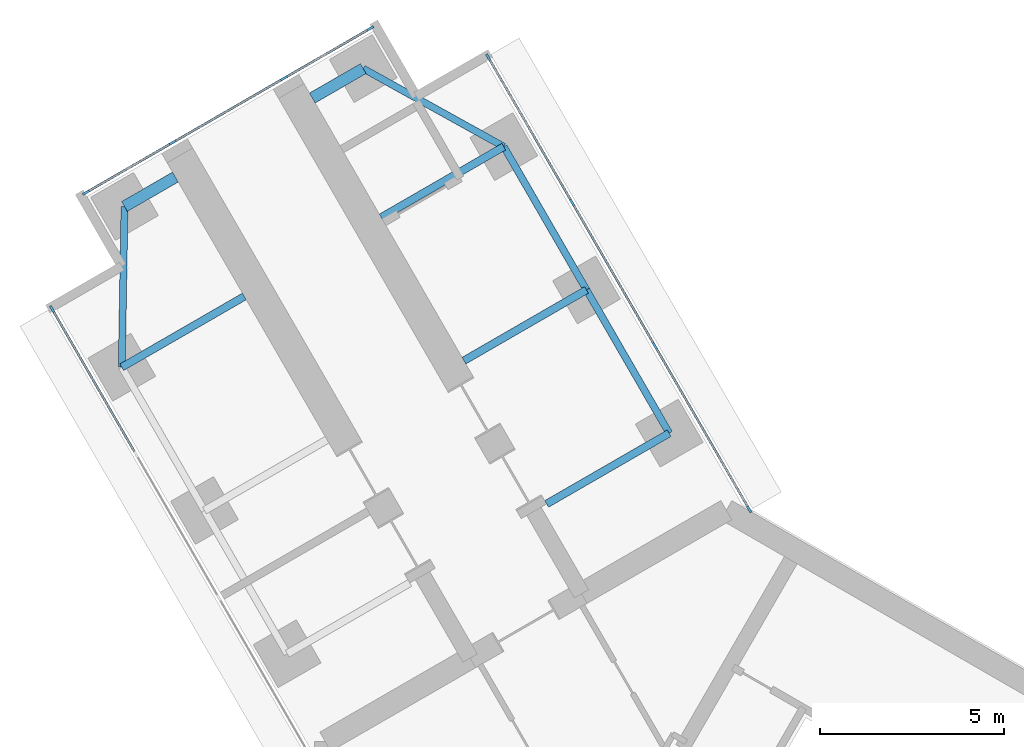
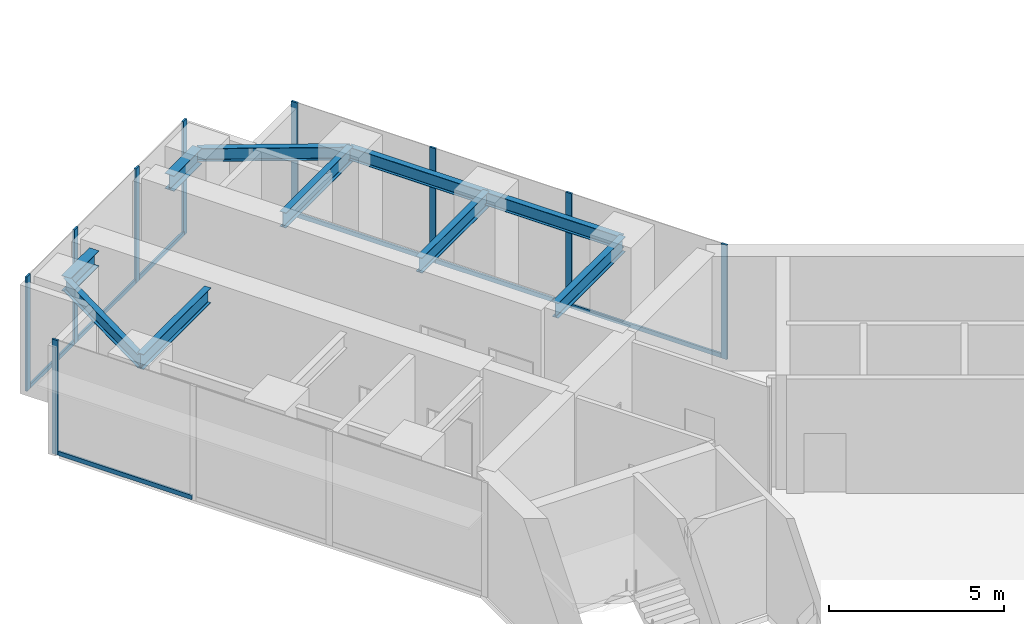
# One storey, part 6 of 21: 16 members, 10 beams, 3 elements without a shape of their own.
"""IFC4 building model written with IfcOpenShell, lengths in metres."""

from ifc_helpers import new_model, si_unit, direction, frame, origin, origin_2d, place, context, subcontext, project, spatial, rectangle, i_section, extrude, material, material_profile, profile_set, type_object, element, aggregate, save


model = new_model("IFC4")

# Units and contexts
model_context = context("Model", 3, precision=1e-05, world=origin(), true_north=direction((0.0, 1.0)))
body_context = subcontext(model_context, "Body", "Model", "MODEL_VIEW")
ifc_project = project(units=[si_unit("LENGTHUNIT", "METRE"), si_unit("AREAUNIT", "SQUARE_METRE"), si_unit("VOLUMEUNIT", "CUBIC_METRE"), si_unit("PLANEANGLEUNIT", "RADIAN"), si_unit("MASSUNIT", "GRAM", prefix="KILO")], contexts=[model_context])

# Site, building, storey
site_placement = place(None, origin())
site = spatial("IfcSite", under=ifc_project, at=site_placement, CompositionType="ELEMENT")
building_placement = place(site_placement, origin())
building = spatial("IfcBuilding", under=site, at=building_placement, Name="Upepo Twin Towers", CompositionType="ELEMENT")
storey_placement = place(building_placement, frame((0.0, 0.0, 109.5)))
storey = spatial("IfcBuildingStorey", under=building, at=storey_placement, Name="L26", CompositionType="ELEMENT", Elevation=109.5)

# Beams
ifc_material_1 = material(Name="Steel S355", Category="steel")
ifc_material_profile_1 = material_profile(ifc_material_1, i_section(OverallWidth=0.1904296875, OverallDepth=0.45703125, WebThickness=0.009033203125, FlangeThickness=0.014404296875, FilletRadius=0.01025390625, at=origin_2d()), Name="UB 457x191x74")
ifc_profile_set_1 = profile_set([ifc_material_profile_1], Name="Steel S355")
beam_type_1 = type_object("IfcBeamType", Name="Beam UB 457x191x74", PredefinedType="BEAM", material=ifc_profile_set_1)
beam_1_placement = place(storey_placement, frame((-16.446044921875, 16.485595703125, 3.571533203125), z_axis=(0.016803880528, 0.999858804832, 0.0), x_axis=(-0.999858804832, 0.016803880528, 0.0)))
element("IfcBeam", 1, at=beam_1_placement, inside=storey, type_object=beam_type_1, Name="T1 nose edge beam BL", PredefinedType="BEAM", context=body_context, shape_type="SweptSolid", body=[
    extrude(i_section(OverallWidth=0.1904296875, OverallDepth=0.45703125, WebThickness=0.009033203125, FlangeThickness=0.014404296875, FilletRadius=0.01025390625, at=origin_2d()), origin(), (0.0, 0.0, 1.0), 4.373291015625),
])
beam_2_placement = place(storey_placement, frame((-1.553955078125, 14.69140625, 3.571533203125), z_axis=(-0.500013631625, 0.866017533419, 0.0), x_axis=(-0.866017533419, -0.500013631625, 0.0)))
element("IfcBeam", 2, at=beam_2_placement, inside=storey, type_object=beam_type_1, Name="T1 edge beam BR 13.5-18.0", PredefinedType="BEAM", context=body_context, shape_type="SweptSolid", body=[
    extrude(i_section(OverallWidth=0.1904296875, OverallDepth=0.45703125, WebThickness=0.009033203125, FlangeThickness=0.014404296875, FilletRadius=0.01025390625, at=origin_2d()), origin(), (0.0, 0.0, 1.0), 4.499755859375),
])
beam_3_placement = place(storey_placement, frame((-3.803955078125, 18.58837890625, 3.571533203125), z_axis=(-0.499990139034, 0.866031096941, 0.0), x_axis=(-0.866031096941, -0.499990139034, 0.0)))
element("IfcBeam", 3, at=beam_3_placement, inside=storey, type_object=beam_type_1, Name="T1 edge beam BR 18.0-22.5", PredefinedType="BEAM", context=body_context, shape_type="SweptSolid", body=[
    extrude(i_section(OverallWidth=0.1904296875, OverallDepth=0.45703125, WebThickness=0.009033203125, FlangeThickness=0.014404296875, FilletRadius=0.01025390625, at=origin_2d()), origin(), (0.0, 0.0, 1.0), 4.5),
])
beam_4_placement = place(storey_placement, frame((-6.053955078125, 22.485595703125, 3.571533203125), z_axis=(-0.874312600038, 0.485363242752, 0.0), x_axis=(-0.485363242752, -0.874312600038, 0.0)))
element("IfcBeam", 4, at=beam_4_placement, inside=storey, type_object=beam_type_1, Name="T1 nose edge beam BR", PredefinedType="BEAM", context=body_context, shape_type="SweptSolid", body=[
    extrude(i_section(OverallWidth=0.1904296875, OverallDepth=0.45703125, WebThickness=0.009033203125, FlangeThickness=0.014404296875, FilletRadius=0.01025390625, at=origin_2d()), origin(), (0.0, 0.0, 1.0), 4.373046875),
])
ifc_material_2 = material(Name="Steel S355", Category="steel")
ifc_material_profile_2 = material_profile(ifc_material_2, i_section(OverallWidth=0.209228515625, OverallDepth=0.533203125, WebThickness=0.010009765625, FlangeThickness=0.015625, FilletRadius=0.0126953125, at=origin_2d()), Name="UB 533x210x92")
ifc_profile_set_2 = profile_set([ifc_material_profile_2], Name="Steel S355")
beam_type_2 = type_object("IfcBeamType", Name="Beam UB 533x210x92", PredefinedType="BEAM", material=ifc_profile_set_2)
for number, where, z_axis, x_axis, name in (
    (5, (-16.446044921875, 16.485595703125, 3.533447265625), (0.866006051527, 0.500033517596, 0.0), (-0.500033517596, 0.866006051527, 0.0), "T1 girder BL at 22.5"),
    (6, (-1.553955078125, 14.69140625, 3.533447265625), (-0.866006051527, -0.500033517596, 0.0), (0.500033517596, -0.866006051527, 0.0), "T1 girder BR at 13.5"),
):
    element("IfcBeam", number, at=place(storey_placement, frame(where, z_axis=z_axis, x_axis=x_axis)), inside=storey, type_object=beam_type_2, Name=name, PredefinedType="BEAM", context=body_context, shape_type="SweptSolid", body=[
        extrude(i_section(OverallWidth=0.209228515625, OverallDepth=0.533203125, WebThickness=0.010009765625, FlangeThickness=0.015625, FilletRadius=0.0126953125, at=origin_2d()), origin(), (0.0, 0.0, 1.0), 3.849853515625),
    ])
beam_5_placement = place(storey_placement, frame((-3.803955078125, 18.58837890625, 3.533447265625), z_axis=(-0.866033512162, -0.499985955615, 0.0), x_axis=(0.499985955615, -0.866033512162, 0.0)))
element("IfcBeam", 7, at=beam_5_placement, inside=storey, type_object=beam_type_2, Name="T1 girder BR at 18.0", PredefinedType="BEAM", context=body_context, shape_type="SweptSolid", body=[
    extrude(i_section(OverallWidth=0.209228515625, OverallDepth=0.533203125, WebThickness=0.010009765625, FlangeThickness=0.015625, FilletRadius=0.0126953125, at=origin_2d()), origin(), (0.0, 0.0, 1.0), 3.849609375),
])
beam_6_placement = place(storey_placement, frame((-6.053955078125, 22.485595703125, 3.533447265625), z_axis=(-0.866006051527, -0.500033517596, 0.0), x_axis=(0.500033517596, -0.866006051527, 0.0)))
element("IfcBeam", 8, at=beam_6_placement, inside=storey, type_object=beam_type_2, Name="T1 girder BR at 22.5", PredefinedType="BEAM", context=body_context, shape_type="SweptSolid", body=[
    extrude(i_section(OverallWidth=0.209228515625, OverallDepth=0.533203125, WebThickness=0.010009765625, FlangeThickness=0.015625, FilletRadius=0.0126953125, at=origin_2d()), origin(), (0.0, 0.0, 1.0), 3.849853515625),
])
ifc_material_3 = material(Name="Steel S355", Category="steel")
ifc_material_profile_3 = material_profile(ifc_material_3, i_section(OverallWidth=0.31201171875, OverallDepth=0.54345703125, WebThickness=0.0126953125, FlangeThickness=0.020263671875, FilletRadius=0.0126953125, at=origin_2d()), Name="UB 533x312x150")
ifc_profile_set_3 = profile_set([ifc_material_profile_3], Name="Steel S355")
beam_type_3 = type_object("IfcBeamType", Name="Beam UB 533x312x150", PredefinedType="BEAM", material=ifc_profile_set_3)
for number, where, z_axis, x_axis, name in (
    (9, (-16.37255859375, 20.858154296875, 3.5283203125), (0.865989903783, 0.500061482766, 0.0), (-0.500061482766, 0.865989903783, 0.0), "T1 nose beam BL"),
    (10, (-9.87744140625, 24.608154296875, 3.5283203125), (-0.865989903783, -0.500061482766, 0.0), (0.500061482766, -0.865989903783, 0.0), "T1 nose beam BR"),
):
    element("IfcBeam", number, at=place(storey_placement, frame(where, z_axis=z_axis, x_axis=x_axis)), inside=storey, type_object=beam_type_3, Name=name, PredefinedType="BEAM", context=body_context, shape_type="SweptSolid", body=[
        extrude(i_section(OverallWidth=0.31201171875, OverallDepth=0.54345703125, WebThickness=0.0126953125, FlangeThickness=0.020263671875, FilletRadius=0.0126953125, at=origin_2d()), origin(), (0.0, 0.0, 1.0), 1.599853515625),
    ])

# Curtain wall, member
ifc_material_4 = material(Name="Aluminium and fritted glass", Category="aluminium")
curtain_wall_type = type_object("IfcCurtainWallType", Name="Tower curtain wall TW2, fritted glass", PredefinedType="NOTDEFINED", material=ifc_material_4)
curtain_wall_1_placement = place(storey_placement, origin())
curtain_wall_1 = element("IfcCurtainWall", 11, at=curtain_wall_1_placement, inside=storey, type_object=curtain_wall_type, Name="T1 L26 wing B flank L curtain wall", PredefinedType="NOTDEFINED")
ifc_material_5 = material(Name="Aluminium mullion", Category="aluminium")
ifc_material_profile_4 = material_profile(ifc_material_5, rectangle(XDim=0.06494140625, YDim=0.199951171875, at=origin_2d()), Name="MULLION 65x200")
ifc_profile_set_4 = profile_set([ifc_material_profile_4], Name="Aluminium mullion")
member_type_1 = type_object("IfcMemberType", Name="Mullion 65x200 TW2", PredefinedType="MULLION", material=ifc_profile_set_4)
member_1_placement = place(storey_placement, frame((-18.341064453125, 18.067626953125, 0.0), z_axis=(0.0, 0.0, 1.0), x_axis=(-0.866025397833, -0.500000010308, 0.0)))
member_1 = element("IfcMember", 12, at=member_1_placement, type_object=member_type_1, Name="T1 L26 wing B flank L curtain wall mullion 4", PredefinedType="MULLION", context=body_context, shape_type="SweptSolid", body=[
    extrude(rectangle(XDim=0.06494140625, YDim=0.199951171875, at=origin_2d()), origin(), (0.0, 0.0, 1.0), 4.0),
])

# Curtain wall, members
curtain_wall_2_placement = place(storey_placement, origin())
curtain_wall_2 = element("IfcCurtainWall", 13, at=curtain_wall_2_placement, inside=storey, type_object=curtain_wall_type, Name="T1 L26 wing B flank R curtain wall", PredefinedType="NOTDEFINED")
member_2_placement = place(storey_placement, frame((-6.4765625, 24.91748046875, 0.0), z_axis=(0.0, 0.0, 1.0), x_axis=(0.866025397833, 0.500000010308, 0.0)))
member_2 = element("IfcMember", 14, at=member_2_placement, type_object=member_type_1, Name="T1 L26 wing B flank R curtain wall mullion 1", PredefinedType="MULLION", context=body_context, shape_type="SweptSolid", body=[
    extrude(rectangle(XDim=0.06494140625, YDim=0.199951171875, at=origin_2d()), origin(), (0.0, 0.0, 1.0), 4.0),
])
member_3_placement = place(storey_placement, frame((-4.192626953125, 20.9619140625, 0.0), z_axis=(0.0, 0.0, 1.0), x_axis=(0.866025397833, 0.500000010308, 0.0)))
member_3 = element("IfcMember", 15, at=member_3_placement, type_object=member_type_1, Name="T1 L26 wing B flank R curtain wall mullion 2", PredefinedType="MULLION", context=body_context, shape_type="SweptSolid", body=[
    extrude(rectangle(XDim=0.06494140625, YDim=0.199951171875, at=origin_2d()), origin(), (0.0, 0.0, 1.0), 4.0),
])
member_4_placement = place(storey_placement, frame((-1.942626953125, 17.06494140625, 0.0), z_axis=(0.0, 0.0, 1.0), x_axis=(0.866025397833, 0.500000010308, 0.0)))
member_4 = element("IfcMember", 16, at=member_4_placement, type_object=member_type_1, Name="T1 L26 wing B flank R curtain wall mullion 3", PredefinedType="MULLION", context=body_context, shape_type="SweptSolid", body=[
    extrude(rectangle(XDim=0.06494140625, YDim=0.199951171875, at=origin_2d()), origin(), (0.0, 0.0, 1.0), 4.0),
])
member_5_placement = place(storey_placement, frame((0.62255859375, 12.621826171875, 0.0), z_axis=(0.0, 0.0, 1.0), x_axis=(0.866025397833, 0.500000010308, 0.0)))
member_5 = element("IfcMember", 17, at=member_5_placement, type_object=member_type_1, Name="T1 L26 wing B flank R curtain wall mullion 4", PredefinedType="MULLION", context=body_context, shape_type="SweptSolid", body=[
    extrude(rectangle(XDim=0.06494140625, YDim=0.199951171875, at=origin_2d()), origin(), (0.0, 0.0, 1.0), 4.0),
])

curtain_wall_3_placement = place(storey_placement, origin())
curtain_wall_3 = element("IfcCurtainWall", 18, at=curtain_wall_3_placement, inside=storey, type_object=curtain_wall_type, Name="T1 L26 wing B nose curtain wall", PredefinedType="NOTDEFINED")
member_6_placement = place(storey_placement, frame((-9.68115234375, 25.703125, 0.0), z_axis=(0.0, 0.0, 1.0), x_axis=(0.500000030502, -0.866025386174, 0.0)))
member_6 = element("IfcMember", 19, at=member_6_placement, type_object=member_type_1, Name="T1 L26 wing B nose curtain wall mullion 1", PredefinedType="MULLION", context=body_context, shape_type="SweptSolid", body=[
    extrude(rectangle(XDim=0.06494140625, YDim=0.199951171875, at=origin_2d()), origin(), (0.0, 0.0, 1.0), 4.0),
])
member_7_placement = place(storey_placement, frame((-12.034423828125, 24.34423828125, 0.0), z_axis=(0.0, 0.0, 1.0), x_axis=(0.500000030502, -0.866025386174, 0.0)))
member_7 = element("IfcMember", 20, at=member_7_placement, type_object=member_type_1, Name="T1 L26 wing B nose curtain wall mullion 2", PredefinedType="MULLION", context=body_context, shape_type="SweptSolid", body=[
    extrude(rectangle(XDim=0.06494140625, YDim=0.199951171875, at=origin_2d()), origin(), (0.0, 0.0, 1.0), 4.0),
])
member_8_placement = place(storey_placement, frame((-15.0654296875, 22.59423828125, 0.0), z_axis=(0.0, 0.0, 1.0), x_axis=(0.500000030502, -0.866025386174, 0.0)))
member_8 = element("IfcMember", 21, at=member_8_placement, type_object=member_type_1, Name="T1 L26 wing B nose curtain wall mullion 3", PredefinedType="MULLION", context=body_context, shape_type="SweptSolid", body=[
    extrude(rectangle(XDim=0.06494140625, YDim=0.199951171875, at=origin_2d()), origin(), (0.0, 0.0, 1.0), 4.0),
])
member_9_placement = place(storey_placement, frame((-17.4189453125, 21.235595703125, 0.0), z_axis=(0.0, 0.0, 1.0), x_axis=(0.500000030502, -0.866025386174, 0.0)))
member_9 = element("IfcMember", 22, at=member_9_placement, type_object=member_type_1, Name="T1 L26 wing B nose curtain wall mullion 4", PredefinedType="MULLION", context=body_context, shape_type="SweptSolid", body=[
    extrude(rectangle(XDim=0.06494140625, YDim=0.199951171875, at=origin_2d()), origin(), (0.0, 0.0, 1.0), 4.0),
])

# Member
ifc_material_6 = material(Name="Aluminium transom", Category="aluminium")
ifc_material_profile_5 = material_profile(ifc_material_6, rectangle(XDim=0.06494140625, YDim=0.14990234375, at=origin_2d()), Name="TRANSOM 65x150")
ifc_profile_set_5 = profile_set([ifc_material_profile_5], Name="Aluminium transom")
member_type_2 = type_object("IfcMemberType", Name="Transom 65x150 TW2", PredefinedType="USERDEFINED", material=ifc_profile_set_5)
member_10_placement = place(storey_placement, frame((-16.073486328125, 14.14013671875, 0.074951171875), z_axis=(-0.499982167615, 0.866035699072, 0.0), x_axis=(-0.866035699072, -0.499982167615, 0.0)))
member_10 = element("IfcMember", 23, at=member_10_placement, type_object=member_type_2, Name="T1 L26 wing B flank L curtain wall transom 3", ObjectType="TRANSOM", PredefinedType="USERDEFINED", context=body_context, shape_type="SweptSolid", body=[
    extrude(rectangle(XDim=0.06494140625, YDim=0.14990234375, at=origin_2d()), origin(), (0.0, 0.0, 1.0), 4.502685546875),
])

aggregate(curtain_wall_1, [member_1, member_10])

member_11_placement = place(storey_placement, frame((-6.460205078125, 24.889404296875, 0.074951171875), z_axis=(0.500005646842, -0.866022143554, 0.0), x_axis=(0.866022143554, 0.500005646842, 0.0)))
member_11 = element("IfcMember", 24, at=member_11_placement, type_object=member_type_2, Name="T1 L26 wing B flank R curtain wall transom 1", ObjectType="TRANSOM", PredefinedType="USERDEFINED", context=body_context, shape_type="SweptSolid", body=[
    extrude(rectangle(XDim=0.06494140625, YDim=0.14990234375, at=origin_2d()), origin(), (0.0, 0.0, 1.0), 4.50244140625),
])

member_12_placement = place(storey_placement, frame((-4.176513671875, 20.933837890625, 0.074951171875), z_axis=(0.500005184116, -0.866022410713, 0.0), x_axis=(0.866022410713, 0.500005184116, 0.0)))
member_12 = element("IfcMember", 25, at=member_12_placement, type_object=member_type_2, Name="T1 L26 wing B flank R curtain wall transom 2", ObjectType="TRANSOM", PredefinedType="USERDEFINED", context=body_context, shape_type="SweptSolid", body=[
    extrude(rectangle(XDim=0.06494140625, YDim=0.14990234375, at=origin_2d()), origin(), (0.0, 0.0, 1.0), 4.43505859375),
])

member_13_placement = place(storey_placement, frame((-1.926513671875, 17.036865234375, 0.074951171875), z_axis=(0.499985288567, -0.866033897268, 0.0), x_axis=(0.866033897268, 0.499985288567, 0.0)))
member_13 = element("IfcMember", 26, at=member_13_placement, type_object=member_type_2, Name="T1 L26 wing B flank R curtain wall transom 3", ObjectType="TRANSOM", PredefinedType="USERDEFINED", context=body_context, shape_type="SweptSolid", body=[
    extrude(rectangle(XDim=0.06494140625, YDim=0.14990234375, at=origin_2d()), origin(), (0.0, 0.0, 1.0), 5.065673828125),
])

aggregate(curtain_wall_2, [member_2, member_3, member_4, member_5, member_11, member_12, member_13])

member_14_placement = place(storey_placement, frame((-9.709228515625, 25.686767578125, 0.074951171875), z_axis=(-0.866036909293, -0.499980071345, 0.0), x_axis=(0.499980071345, -0.866036909293, 0.0)))
member_14 = element("IfcMember", 27, at=member_14_placement, type_object=member_type_2, Name="T1 L26 wing B nose curtain wall transom 1", ObjectType="TRANSOM", PredefinedType="USERDEFINED", context=body_context, shape_type="SweptSolid", body=[
    extrude(rectangle(XDim=0.06494140625, YDim=0.14990234375, at=origin_2d()), origin(), (0.0, 0.0, 1.0), 2.65234375),
])

member_15_placement = place(storey_placement, frame((-12.0625, 24.328125, 0.074951171875), z_axis=(-0.866025804792, -0.499999305434, 0.0), x_axis=(0.499999305434, -0.866025804792, 0.0)))
member_15 = element("IfcMember", 28, at=member_15_placement, type_object=member_type_2, Name="T1 L26 wing B nose curtain wall transom 2", ObjectType="TRANSOM", PredefinedType="USERDEFINED", context=body_context, shape_type="SweptSolid", body=[
    extrude(rectangle(XDim=0.06494140625, YDim=0.14990234375, at=origin_2d()), origin(), (0.0, 0.0, 1.0), 3.43505859375),
])

member_16_placement = place(storey_placement, frame((-15.09375, 22.578125, 0.074951171875), z_axis=(-0.865997053448, -0.500049101008, 0.0), x_axis=(0.500049101008, -0.865997053448, 0.0)))
member_16 = element("IfcMember", 29, at=member_16_placement, type_object=member_type_2, Name="T1 L26 wing B nose curtain wall transom 3", ObjectType="TRANSOM", PredefinedType="USERDEFINED", context=body_context, shape_type="SweptSolid", body=[
    extrude(rectangle(XDim=0.06494140625, YDim=0.14990234375, at=origin_2d()), origin(), (0.0, 0.0, 1.0), 2.652587890625),
])

aggregate(curtain_wall_3, [member_6, member_7, member_8, member_9, member_14, member_15, member_16])

save(model, "model.ifc")
